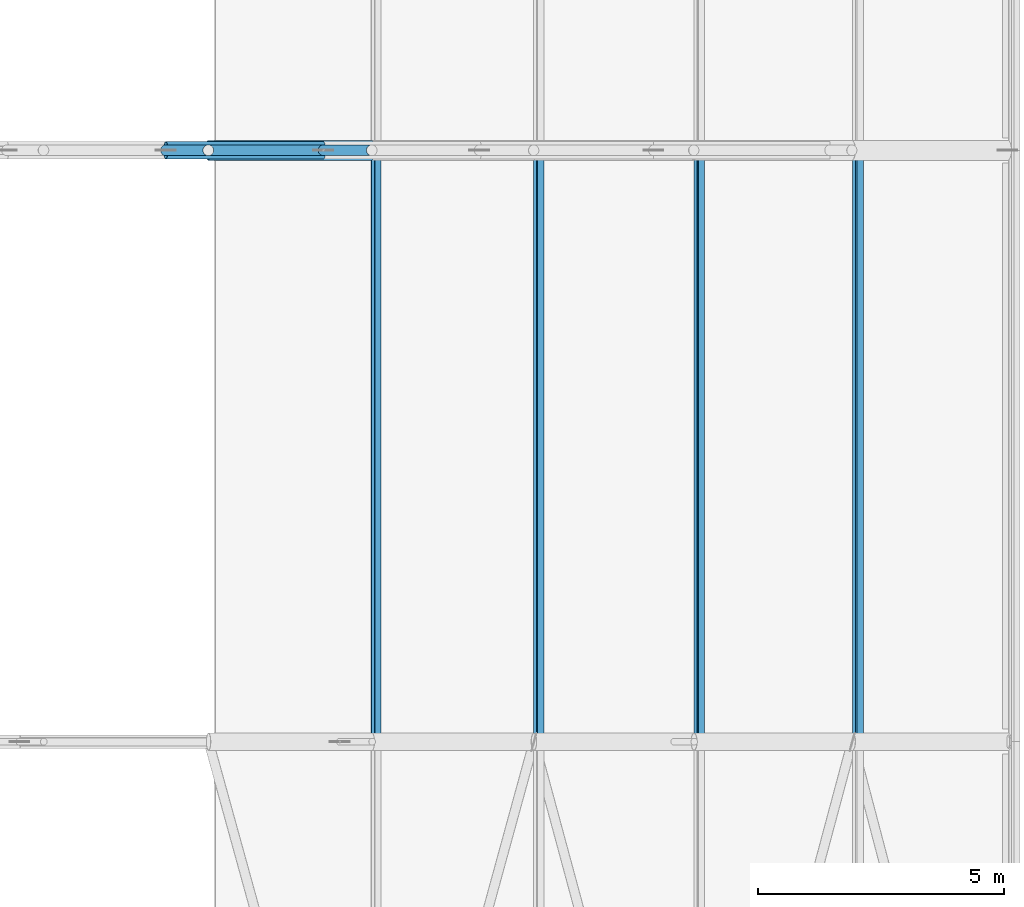
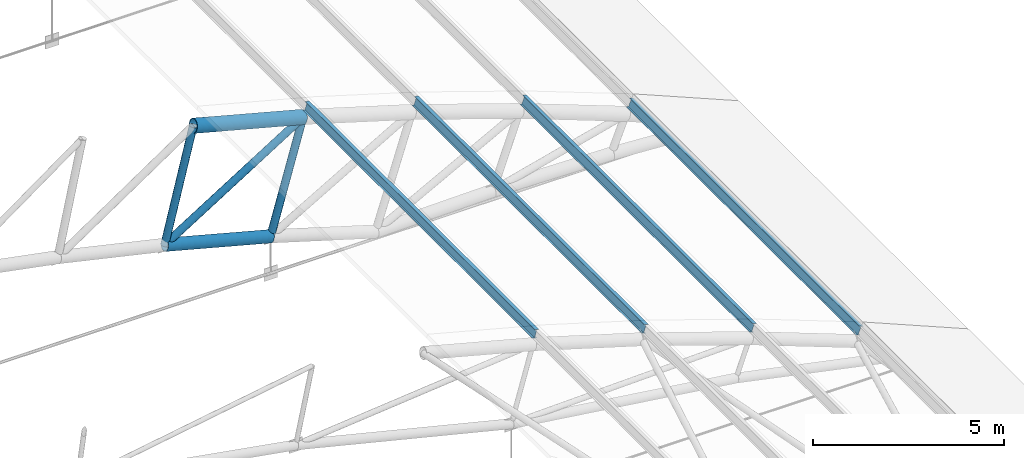
# One storey, part 48 of 321: 9 members.
"""IFC4 building model written with IfcOpenShell, lengths in metres."""

from ifc_helpers import new_model, si_unit, direction, frame, origin, origin_2d, place, context, subcontext, project, spatial, hollow_circle, i_section, extrude, material, material_profile, profile_set, type_object, element, save


model = new_model("IFC4")

# Units and contexts
model_context = context("Model", 3, precision=1e-05, world=origin(), true_north=direction((0.0, 1.0)))
body_context = subcontext(model_context, "Body", "Model", "MODEL_VIEW")
ifc_project = project(units=[si_unit("LENGTHUNIT", "METRE"), si_unit("AREAUNIT", "SQUARE_METRE"), si_unit("VOLUMEUNIT", "CUBIC_METRE"), si_unit("PLANEANGLEUNIT", "RADIAN"), si_unit("MASSUNIT", "GRAM", prefix="KILO")], contexts=[model_context])

# Site, building, storey
site_placement = place(None, origin())
site = spatial("IfcSite", under=ifc_project, at=site_placement, CompositionType="ELEMENT")
building_placement = place(site_placement, origin())
building = spatial("IfcBuilding", under=site, at=building_placement, Name="Ravi Spectrum Wholesale Market", CompositionType="ELEMENT")
storey_placement = place(building_placement, frame((0.0, 0.0, 10.800048828125)))
storey = spatial("IfcBuildingStorey", under=building, at=storey_placement, Name="L02", CompositionType="ELEMENT", Elevation=10.800048828125)

# Members
ifc_material_1 = material(Name="Steel S355", Category="steel")
ifc_material_profile_1 = material_profile(ifc_material_1, hollow_circle(Radius=0.109619140625, WallThickness=0.008056640625, at=origin_2d()))
ifc_profile_set_1 = profile_set([ifc_material_profile_1], Name="Steel S355")
member_type_1 = type_object("IfcMemberType", Name="CHS 219.1x8 brace", PredefinedType="BRACE", material=ifc_profile_set_1)
member_1_placement = place(storey_placement, frame((97.096923828125, 54.0, 4.63671875), z_axis=(-0.847368909482, 0.0, -0.531004643335), x_axis=(0.0, -1.0, 0.0)))
element("IfcMember", 1, at=member_1_placement, inside=storey, type_object=member_type_1, Name="H1-MB-L02-252", PredefinedType="BRACE", context=body_context, shape_type="SweptSolid", body=[
    extrude(hollow_circle(Radius=0.109619140625, WallThickness=0.008056640625, at=origin_2d()), origin(), (0.0, 0.0, 1.0), 4.9296875),
])
ifc_material_2 = material(Name="Steel S355", Category="steel")
ifc_material_profile_2 = material_profile(ifc_material_2, hollow_circle(Radius=0.109619140625, WallThickness=0.008056640625, at=origin_2d()))
ifc_profile_set_2 = profile_set([ifc_material_profile_2], Name="Steel S355")
member_type_2 = type_object("IfcMemberType", Name="CHS 219.1x8 post", PredefinedType="POST", material=ifc_profile_set_2)
for number, where, z_axis, x_axis, name in (
    (2, (93.78076171875, 54.0, 5.514404296875), (-0.239199072456, 0.0, -0.970970547306), (0.0, -1.0, 0.0), "H1-MB-L02-229"),
    (3, (97.096923828125, 54.0, 4.63671875), (-0.272561766134, 0.0, -0.962138287172), (0.0, -1.0, 0.0), "H1-MB-L02-230"),
):
    element("IfcMember", number, at=place(storey_placement, frame(where, z_axis=z_axis, x_axis=x_axis)), inside=storey, type_object=member_type_2, Name=name, PredefinedType="POST", context=body_context, shape_type="SweptSolid", body=[
        extrude(hollow_circle(Radius=0.109619140625, WallThickness=0.008056640625, at=origin_2d()), origin(), (0.0, 0.0, 1.0), 3.599853515625),
    ])
ifc_material_3 = material(Name="Steel S355", Category="steel")
ifc_material_profile_3 = material_profile(ifc_material_3, hollow_circle(Radius=0.177734375, WallThickness=0.012451171875, at=origin_2d()))
ifc_profile_set_3 = profile_set([ifc_material_profile_3], Name="Steel S355")
member_type_3 = type_object("IfcMemberType", Name="CHS 355.6x12.5 chord", PredefinedType="CHORD", material=ifc_profile_set_3)
member_2_placement = place(storey_placement, frame((92.919677734375, 54.0, 2.01904296875), z_axis=(0.966710063159, 0.0, -0.255874292938), x_axis=(0.0, 1.0, 0.0)))
element("IfcMember", 4, at=member_2_placement, inside=storey, type_object=member_type_3, Name="H1-MB-L02-206", PredefinedType="CHORD", context=body_context, shape_type="SweptSolid", body=[
    extrude(hollow_circle(Radius=0.177734375, WallThickness=0.012451171875, at=origin_2d()), origin(), (0.0, 0.0, 1.0), 3.30615234375),
])
ifc_material_4 = material(Name="Steel S355", Category="steel")
ifc_material_profile_4 = material_profile(ifc_material_4, hollow_circle(Radius=0.203125, WallThickness=0.01611328125, at=origin_2d()))
ifc_profile_set_4 = profile_set([ifc_material_profile_4], Name="Steel S355")
member_type_4 = type_object("IfcMemberType", Name="CHS 406.4x16 chord", PredefinedType="CHORD", material=ifc_profile_set_4)
member_3_placement = place(storey_placement, frame((93.78076171875, 54.0, 5.514404296875), z_axis=(0.966714030155, 0.0, -0.255859304896), x_axis=(0.0, 1.0, 0.0)))
element("IfcMember", 5, at=member_3_placement, inside=storey, type_object=member_type_4, Name="H1-MB-L02-182", PredefinedType="CHORD", context=body_context, shape_type="SweptSolid", body=[
    extrude(hollow_circle(Radius=0.203125, WallThickness=0.01611328125, at=origin_2d()), origin(), (0.0, 0.0, 1.0), 3.430419921875),
])
ifc_material_5 = material(Name="Steel S355", Category="steel")
ifc_material_profile_5 = material_profile(ifc_material_5, i_section(OverallWidth=0.135009765625, OverallDepth=0.27001953125, WebThickness=0.006591796875, FlangeThickness=0.01025390625, at=origin_2d()))
ifc_profile_set_5 = profile_set([ifc_material_profile_5], Name="Steel S355")
member_type_5 = type_object("IfcMemberType", Name="IPE 270 purlin", PredefinedType="PURLIN", material=ifc_profile_set_5)
for number, where, z_axis, x_axis, name in (
    (6, (97.18896484375, 42.0, 4.962158203125), (0.0, 1.0, 0.0), (-0.96215600485, 0.0, 0.272499215286), "H1-MB-L02-1279"),
    (7, (100.484130859375, 42.0, 3.96728515625), (0.0, 1.0, 0.0), (-0.952184497174, 0.0, 0.305523621577), "H1-MB-L02-1280"),
    (8, (103.74267578125, 42.0, 2.859375), (0.0, 1.0, 0.0), (-0.941079849597, 0.0, 0.338184441811), "H1-MB-L02-1281"),
    (9, (106.96142578125, 42.0, 1.6396484375), (0.0, 1.0, 0.0), (-0.928855283584, 0.0, 0.370442792017), "H1-MB-L02-1282"),
):
    element("IfcMember", number, at=place(storey_placement, frame(where, z_axis=z_axis, x_axis=x_axis)), inside=storey, type_object=member_type_5, Name=name, PredefinedType="PURLIN", context=body_context, shape_type="SweptSolid", body=[
        extrude(i_section(OverallWidth=0.135009765625, OverallDepth=0.27001953125, WebThickness=0.006591796875, FlangeThickness=0.01025390625, at=origin_2d()), origin(), (0.0, 0.0, 1.0), 12.0),
    ])

save(model, "model.ifc")
